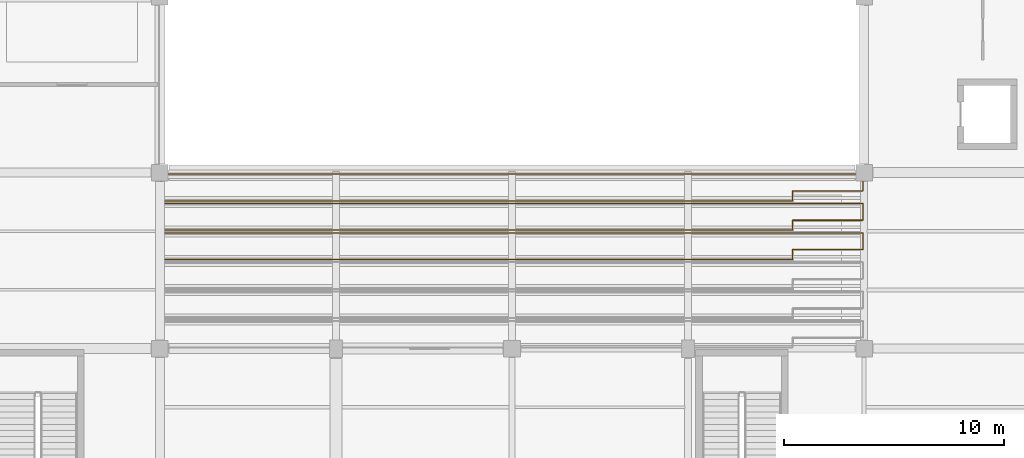
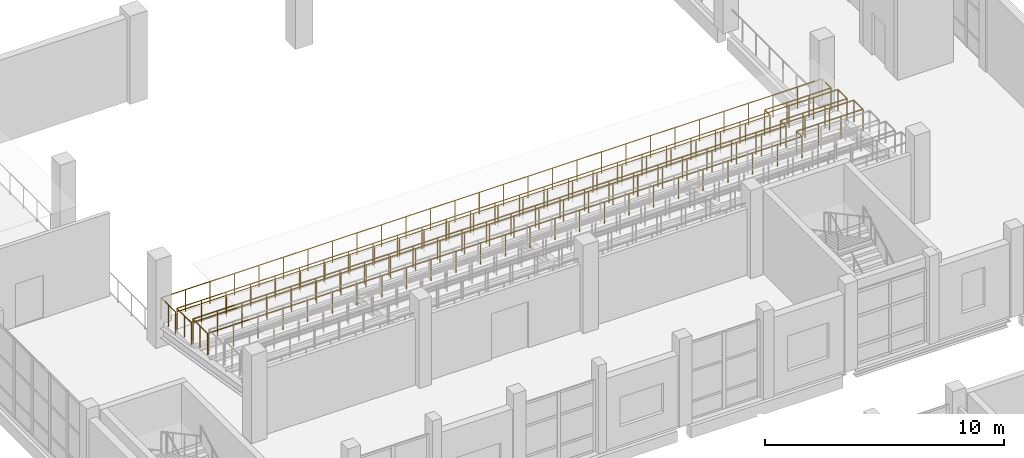
# One storey, part 169 of 183: 3 railings.
"""IFC4 building model written with IfcOpenShell, lengths in metres."""

import ifcopenshell
import ifcopenshell.guid

model = None  # the IFC model being written
_history = None  # IfcOwnerHistory: only IFC2X3 demands one
_inside = {}  # id of a spatial element -> (the spatial element, [elements in it])
_under = {}  # id of a project, library or spatial element -> (it, [spatial elements below it])
_declared = {}  # id of a project -> (the project, [libraries it declares])
_typed = {}  # id of a type object -> (the type object, [elements of that type])
_made_of = {}  # id of a material, layer set ... -> (it, [elements and type objects made of it])


def new_model(schema):
    """Start an empty IFC model of exactly this schema.

    Asked for "IFC4X3", IfcOpenShell would pick the latest addendum, in which some entities
    have other attributes; the version numbers below select the first issue.
    IFC2X3 requires an IfcOwnerHistory on every rooted entity: one is made here for all.
    """
    global model, _history
    if schema == "IFC4X3":
        model = ifcopenshell.file(schema_version=(4, 3, 0, 0))
    else:
        model = ifcopenshell.file(schema=schema)
    _inside.clear()
    _under.clear()
    _declared.clear()
    _typed.clear()
    _made_of.clear()
    _history = None
    if model.schema == "IFC2X3":
        org = make("IfcOrganization", Name="unknown")
        user = make(
            "IfcPersonAndOrganization",
            ThePerson=make("IfcPerson", FamilyName="unknown"),
            TheOrganization=org,
        )
        app = make(
            "IfcApplication",
            ApplicationDeveloper=org,
            Version="unknown",
            ApplicationFullName="unknown",
            ApplicationIdentifier="unknown",
        )
        _history = make(
            "IfcOwnerHistory",
            OwningUser=user,
            OwningApplication=app,
            ChangeAction="ADDED",
            CreationDate=0,
        )
    return model


def make(cls, **values):
    """One entity of the class cls with the attributes given. An attribute that is None is left unset."""
    return model.create_entity(
        cls, **{name: value for name, value in values.items() if value is not None}
    )


def rooted(cls, **values):
    """An entity with a GlobalId (a new one), such as an element, a storey or a relation."""
    return make(cls, GlobalId=ifcopenshell.guid.new(), OwnerHistory=_history, **values)


def si_unit(unit_type, name, prefix=None):
    """IfcSIUnit, for example si_unit("LENGTHUNIT", "METRE", prefix="MILLI")."""
    return make("IfcSIUnit", UnitType=unit_type, Prefix=prefix, Name=name)


def assignment(units):
    """IfcUnitAssignment: the units of a project."""
    return None if units is None else make("IfcUnitAssignment", Units=units)


def point(xyz):
    """IfcCartesianPoint."""
    return None if xyz is None else make("IfcCartesianPoint", Coordinates=xyz)


def direction(xyz):
    """IfcDirection."""
    return None if xyz is None else make("IfcDirection", DirectionRatios=xyz)


def frame(location, z_axis=None, x_axis=None):
    """IfcAxis2Placement3D, a coordinate frame: its origin and axes. An axis left out is left unset."""
    return make(
        "IfcAxis2Placement3D",
        Location=point(location),
        Axis=direction(z_axis),
        RefDirection=direction(x_axis),
    )


def frame_2d(location, x_axis=None):
    """IfcAxis2Placement2D, a coordinate frame in the plane: its origin and x axis."""
    return make(
        "IfcAxis2Placement2D", Location=point(location), RefDirection=direction(x_axis)
    )


def origin():
    """The frame at (0, 0, 0) with its axes left unset."""
    return frame((0.0, 0.0, 0.0))


def origin_2d():
    """The frame at (0, 0) in the plane with its x axis left unset."""
    return frame_2d((0.0, 0.0))


def place(relative_to, where):
    """IfcLocalPlacement: puts the frame where relative to a parent placement (None: the world)."""
    return make(
        "IfcLocalPlacement", PlacementRelTo=relative_to, RelativePlacement=where
    )


def context(
    kind, dimensions, precision=None, world=None, true_north=None, identifier=None
):
    """IfcGeometricRepresentationContext, for example the 3D "Model" context."""
    return make(
        "IfcGeometricRepresentationContext",
        ContextIdentifier=identifier,
        ContextType=kind,
        CoordinateSpaceDimension=dimensions,
        Precision=precision,
        WorldCoordinateSystem=world,
        TrueNorth=true_north,
    )


def subcontext(parent, identifier, kind, view, scale=None):
    """IfcGeometricRepresentationSubContext, for example "Body" below "Model"."""
    return make(
        "IfcGeometricRepresentationSubContext",
        ContextIdentifier=identifier,
        ContextType=kind,
        ParentContext=parent,
        TargetScale=scale,
        TargetView=view,
    )


def project(units=None, contexts=None):
    """IfcProject with its units and contexts."""
    return rooted(
        "IfcProject",
        Name="project",
        RepresentationContexts=contexts,
        UnitsInContext=assignment(units),
    )


def spatial(cls, under=None, at=None, **own):
    """A site, building, storey or space (cls), placed at a placement, below another one or the project."""
    s = rooted(cls, ObjectPlacement=at, **own)
    if under is not None:
        _under.setdefault(under.id(), (under, []))[1].append(s)
    return s


def profile(cls, at=None, kind="AREA", **sizes):
    """A parametric profile (cls). Its sizes go by their IFC names, for example OverallWidth=200.0."""
    return make(cls, ProfileType=kind, Position=at, **sizes)


def circle(**sizes):
    """IfcCircleProfileDef."""
    return profile("IfcCircleProfileDef", **sizes)


def extrude(swept, where, along, depth):
    """IfcExtrudedAreaSolid: the profile swept, set in the frame where, extruded along a direction by depth."""
    return make(
        "IfcExtrudedAreaSolid",
        SweptArea=swept,
        Position=where,
        ExtrudedDirection=direction(along),
        Depth=depth,
    )


def shape(context_of_items, identifier, shape_type, items):
    """IfcShapeRepresentation: the items that make up one representation, for example the "Body"."""
    return make(
        "IfcShapeRepresentation",
        ContextOfItems=context_of_items,
        RepresentationIdentifier=identifier,
        RepresentationType=shape_type,
        Items=items,
    )


def material(Name=None, Category=None):
    """IfcMaterial."""
    return make("IfcMaterial", Name=Name, Category=Category)


def made_of(thing, what):
    """Note that an element or type object is made of a material, layer set ...; save() writes the relation."""
    if what is not None:
        _made_of.setdefault(what.id(), (what, []))[1].append(thing)
    return thing


def type_object(cls, material=None, **own):
    """A type object (cls), such as IfcWallType, which elements share."""
    return made_of(rooted(cls, **own), material)


def element(
    cls,
    number,
    at=None,
    inside=None,
    cuts=None,
    type_object=None,
    material=None,
    context=None,
    identifier="Body",
    shape_type=None,
    held_by="IfcProductDefinitionShape",
    body=None,
    shapes=None,
    **own,
):
    """One element of the class cls, such as IfcWall. Its Tag is "e" and its number.

    at: its placement. inside: the storey or other place that contains it. cuts: it is an
    opening in that element (IfcRelVoidsElement). A single representation is given by context,
    identifier, shape_type and body (its items); several are given by shapes. held_by: the class
    of the entity that holds the representations. save() writes the other relations.
    """
    e = rooted(cls, Tag="e%d" % number, ObjectPlacement=at, **own)
    if body is not None:
        shapes = [shape(context, identifier, shape_type, body)]
    if shapes is not None:
        e.Representation = make(held_by, Representations=shapes)
    if inside is not None:
        _inside.setdefault(inside.id(), (inside, []))[1].append(e)
    if cuts is not None:
        rooted(
            "IfcRelVoidsElement", RelatingBuildingElement=cuts, RelatedOpeningElement=e
        )
    if type_object is not None:
        _typed.setdefault(type_object.id(), (type_object, []))[1].append(e)
    return made_of(e, material)


def aggregate(whole, parts):
    """IfcRelAggregates: a whole, such as a stair, and the parts it consists of."""
    return rooted("IfcRelAggregates", RelatingObject=whole, RelatedObjects=parts)


def save(model, path):
    """Write the relations noted so far, then the file.

    IfcRelAggregates (storeys below a building ...), IfcRelContainedInSpatialStructure (elements
    in a storey), IfcRelDefinesByType, IfcRelAssociatesMaterial and IfcRelDeclares: one each for
    every whole, place, type object, material and project.
    """
    for whole, parts in _under.values():
        aggregate(whole, parts)
    for where, things in _inside.values():
        rooted(
            "IfcRelContainedInSpatialStructure",
            RelatedElements=things,
            RelatingStructure=where,
        )
    for kind, things in _typed.values():
        rooted("IfcRelDefinesByType", RelatedObjects=things, RelatingType=kind)
    for what, things in _made_of.values():
        rooted("IfcRelAssociatesMaterial", RelatedObjects=things, RelatingMaterial=what)
    for by, libraries in _declared.values():
        rooted("IfcRelDeclares", RelatingContext=by, RelatedDefinitions=libraries)
    model.write(path)


model = new_model("IFC4")

# Units and contexts
model_context = context("Model", 3, precision=1e-05, world=origin(), true_north=direction((0.0, 1.0)))
body_context = subcontext(model_context, "Body", "Model", "MODEL_VIEW")
ifc_project = project(units=[si_unit("LENGTHUNIT", "METRE"), si_unit("AREAUNIT", "SQUARE_METRE"), si_unit("VOLUMEUNIT", "CUBIC_METRE"), si_unit("PLANEANGLEUNIT", "RADIAN"), si_unit("MASSUNIT", "GRAM", prefix="KILO")], contexts=[model_context])

# Site, building, storey
site_placement = place(None, origin())
site = spatial("IfcSite", under=ifc_project, at=site_placement, CompositionType="ELEMENT")
building_placement = place(site_placement, origin())
building = spatial("IfcBuilding", under=site, at=building_placement, Name="Luwemba Playhouse", CompositionType="ELEMENT")
storey_placement = place(building_placement, frame((0.0, 0.0, 4.800048828125)))
storey = spatial("IfcBuildingStorey", under=building, at=storey_placement, Name="L01", CompositionType="ELEMENT", Elevation=4.800048828125)

# Railings
ifc_material = material(Name="Painted wrought-iron gallery balustrade", Category="steel")
railing_type = type_object("IfcRailingType", Name="RLG-BAL-INT", PredefinedType="BALUSTRADE", material=ifc_material)
railing_1_placement = place(storey_placement, frame((12.050048828125, 48.050048828125, 1.699951171875)))
element("IfcRailing", 1, at=railing_1_placement, inside=storey, type_object=railing_type, Name="Stand Dress Circle Bay 4 perimeter balustrade", PredefinedType="BALUSTRADE", context=body_context, shape_type="SweptSolid", body=[
    extrude(circle(Radius=0.02392578125, at=origin_2d()), frame((0.0, 0.0, 1.09619140625), z_axis=(0.0, 1.0, 0.0), x_axis=(-1.0, 0.0, 0.0)), (0.0, 0.0, 1.0), 1.213134765625),
    extrude(circle(Radius=0.02392578125, at=origin_2d()), frame((0.0, 1.213134765625, 1.09619140625), z_axis=(1.0, 0.0, 0.0), x_axis=(0.0, 1.0, 0.0)), (0.0, 0.0, 1.0), 31.89990234375),
    extrude(circle(Radius=0.02392578125, at=origin_2d()), frame((31.89990234375, 1.213134765625, 1.09619140625), z_axis=(0.0, -1.0, 0.0), x_axis=(1.0, 0.0, 0.0)), (0.0, 0.0, 1.0), 0.76318359375),
    extrude(circle(Radius=0.02392578125, at=origin_2d()), frame((31.89990234375, 0.449951171875, 1.09619140625), z_axis=(-1.0, 0.0, 0.0), x_axis=(0.0, -1.0, 0.0)), (0.0, 0.0, 1.0), 3.199951171875),
    extrude(circle(Radius=0.02392578125, at=origin_2d()), frame((28.699951171875, 0.449951171875, 1.09619140625), z_axis=(0.0, -1.0, 0.0), x_axis=(1.0, 0.0, 0.0)), (0.0, 0.0, 1.0), 0.449951171875),
    extrude(circle(Radius=0.02392578125, at=origin_2d()), frame((28.699951171875, 0.0, 1.09619140625), z_axis=(-1.0, 0.0, 0.0), x_axis=(0.0, -1.0, 0.0)), (0.0, 0.0, 1.0), 28.639892578125),
    extrude(circle(Radius=0.02099609375, at=origin_2d()), origin(), (0.0, 0.0, 1.0), 1.072021484375),
    extrude(circle(Radius=0.02099609375, at=origin_2d()), frame((0.0, 0.6064453125, 0.0)), (0.0, 0.0, 1.0), 1.072021484375),
    extrude(circle(Radius=0.02099609375, at=origin_2d()), frame((0.0, 1.213134765625, 0.0)), (0.0, 0.0, 1.0), 1.072021484375),
    extrude(circle(Radius=0.02099609375, at=origin_2d()), frame((1.181396484375, 1.213134765625, 0.0)), (0.0, 0.0, 1.0), 1.072021484375),
    extrude(circle(Radius=0.02099609375, at=origin_2d()), frame((2.363037109375, 1.213134765625, 0.0)), (0.0, 0.0, 1.0), 1.072021484375),
    extrude(circle(Radius=0.02099609375, at=origin_2d()), frame((3.54443359375, 1.213134765625, 0.0)), (0.0, 0.0, 1.0), 1.072021484375),
    extrude(circle(Radius=0.02099609375, at=origin_2d()), frame((4.725830078125, 1.213134765625, 0.0)), (0.0, 0.0, 1.0), 1.072021484375),
    extrude(circle(Radius=0.02099609375, at=origin_2d()), frame((5.907470703125, 1.213134765625, 0.0)), (0.0, 0.0, 1.0), 1.072021484375),
    extrude(circle(Radius=0.02099609375, at=origin_2d()), frame((7.0888671875, 1.213134765625, 0.0)), (0.0, 0.0, 1.0), 1.072021484375),
    extrude(circle(Radius=0.02099609375, at=origin_2d()), frame((8.270263671875, 1.213134765625, 0.0)), (0.0, 0.0, 1.0), 1.072021484375),
    extrude(circle(Radius=0.02099609375, at=origin_2d()), frame((9.451904296875, 1.213134765625, 0.0)), (0.0, 0.0, 1.0), 1.072021484375),
    extrude(circle(Radius=0.02099609375, at=origin_2d()), frame((10.63330078125, 1.213134765625, 0.0)), (0.0, 0.0, 1.0), 1.072021484375),
    extrude(circle(Radius=0.02099609375, at=origin_2d()), frame((11.814697265625, 1.213134765625, 0.0)), (0.0, 0.0, 1.0), 1.072021484375),
    extrude(circle(Radius=0.02099609375, at=origin_2d()), frame((12.996337890625, 1.213134765625, 0.0)), (0.0, 0.0, 1.0), 1.072021484375),
    extrude(circle(Radius=0.02099609375, at=origin_2d()), frame((14.177734375, 1.213134765625, 0.0)), (0.0, 0.0, 1.0), 1.072021484375),
    extrude(circle(Radius=0.02099609375, at=origin_2d()), frame((15.359130859375, 1.213134765625, 0.0)), (0.0, 0.0, 1.0), 1.072021484375),
    extrude(circle(Radius=0.02099609375, at=origin_2d()), frame((16.540771484375, 1.213134765625, 0.0)), (0.0, 0.0, 1.0), 1.072021484375),
    extrude(circle(Radius=0.02099609375, at=origin_2d()), frame((17.72216796875, 1.213134765625, 0.0)), (0.0, 0.0, 1.0), 1.072021484375),
    extrude(circle(Radius=0.02099609375, at=origin_2d()), frame((18.903564453125, 1.213134765625, 0.0)), (0.0, 0.0, 1.0), 1.072021484375),
    extrude(circle(Radius=0.02099609375, at=origin_2d()), frame((20.085205078125, 1.213134765625, 0.0)), (0.0, 0.0, 1.0), 1.072021484375),
    extrude(circle(Radius=0.02099609375, at=origin_2d()), frame((21.2666015625, 1.213134765625, 0.0)), (0.0, 0.0, 1.0), 1.072021484375),
    extrude(circle(Radius=0.02099609375, at=origin_2d()), frame((22.447998046875, 1.213134765625, 0.0)), (0.0, 0.0, 1.0), 1.072021484375),
    extrude(circle(Radius=0.02099609375, at=origin_2d()), frame((23.629638671875, 1.213134765625, 0.0)), (0.0, 0.0, 1.0), 1.072021484375),
    extrude(circle(Radius=0.02099609375, at=origin_2d()), frame((24.81103515625, 1.213134765625, 0.0)), (0.0, 0.0, 1.0), 1.072021484375),
    extrude(circle(Radius=0.02099609375, at=origin_2d()), frame((25.992431640625, 1.213134765625, 0.0)), (0.0, 0.0, 1.0), 1.072021484375),
    extrude(circle(Radius=0.02099609375, at=origin_2d()), frame((27.174072265625, 1.213134765625, 0.0)), (0.0, 0.0, 1.0), 1.072021484375),
    extrude(circle(Radius=0.02099609375, at=origin_2d()), frame((28.35546875, 1.213134765625, 0.0)), (0.0, 0.0, 1.0), 1.072021484375),
    extrude(circle(Radius=0.02099609375, at=origin_2d()), frame((29.536865234375, 1.213134765625, 0.0)), (0.0, 0.0, 1.0), 1.072021484375),
    extrude(circle(Radius=0.02099609375, at=origin_2d()), frame((30.718505859375, 1.213134765625, 0.0)), (0.0, 0.0, 1.0), 1.072021484375),
    extrude(circle(Radius=0.02099609375, at=origin_2d()), frame((31.89990234375, 1.213134765625, 0.0)), (0.0, 0.0, 1.0), 1.072021484375),
    extrude(circle(Radius=0.02099609375, at=origin_2d()), frame((31.89990234375, 0.449951171875, 0.0)), (0.0, 0.0, 1.0), 1.072021484375),
    extrude(circle(Radius=0.02099609375, at=origin_2d()), frame((30.833251953125, 0.449951171875, 0.0)), (0.0, 0.0, 1.0), 1.072021484375),
    extrude(circle(Radius=0.02099609375, at=origin_2d()), frame((29.7666015625, 0.449951171875, 0.0)), (0.0, 0.0, 1.0), 1.072021484375),
    extrude(circle(Radius=0.02099609375, at=origin_2d()), frame((28.699951171875, 0.449951171875, 0.0)), (0.0, 0.0, 1.0), 1.072021484375),
    extrude(circle(Radius=0.02099609375, at=origin_2d()), frame((28.699951171875, 0.0, 0.0)), (0.0, 0.0, 1.0), 1.072021484375),
    extrude(circle(Radius=0.02099609375, at=origin_2d()), frame((27.506591796875, 0.0, 0.0)), (0.0, 0.0, 1.0), 1.072021484375),
    extrude(circle(Radius=0.02099609375, at=origin_2d()), frame((26.313232421875, 0.0, 0.0)), (0.0, 0.0, 1.0), 1.072021484375),
    extrude(circle(Radius=0.02099609375, at=origin_2d()), frame((25.119873046875, 0.0, 0.0)), (0.0, 0.0, 1.0), 1.072021484375),
    extrude(circle(Radius=0.02099609375, at=origin_2d()), frame((23.9267578125, 0.0, 0.0)), (0.0, 0.0, 1.0), 1.072021484375),
    extrude(circle(Radius=0.02099609375, at=origin_2d()), frame((22.7333984375, 0.0, 0.0)), (0.0, 0.0, 1.0), 1.072021484375),
    extrude(circle(Radius=0.02099609375, at=origin_2d()), frame((21.5400390625, 0.0, 0.0)), (0.0, 0.0, 1.0), 1.072021484375),
    extrude(circle(Radius=0.02099609375, at=origin_2d()), frame((20.3466796875, 0.0, 0.0)), (0.0, 0.0, 1.0), 1.072021484375),
    extrude(circle(Radius=0.02099609375, at=origin_2d()), frame((19.1533203125, 0.0, 0.0)), (0.0, 0.0, 1.0), 1.072021484375),
    extrude(circle(Radius=0.02099609375, at=origin_2d()), frame((17.9599609375, 0.0, 0.0)), (0.0, 0.0, 1.0), 1.072021484375),
    extrude(circle(Radius=0.02099609375, at=origin_2d()), frame((16.7666015625, 0.0, 0.0)), (0.0, 0.0, 1.0), 1.072021484375),
    extrude(circle(Radius=0.02099609375, at=origin_2d()), frame((15.5732421875, 0.0, 0.0)), (0.0, 0.0, 1.0), 1.072021484375),
    extrude(circle(Radius=0.02099609375, at=origin_2d()), frame((14.3798828125, 0.0, 0.0)), (0.0, 0.0, 1.0), 1.072021484375),
    extrude(circle(Radius=0.02099609375, at=origin_2d()), frame((13.186767578125, 0.0, 0.0)), (0.0, 0.0, 1.0), 1.072021484375),
    extrude(circle(Radius=0.02099609375, at=origin_2d()), frame((11.993408203125, 0.0, 0.0)), (0.0, 0.0, 1.0), 1.072021484375),
    extrude(circle(Radius=0.02099609375, at=origin_2d()), frame((10.800048828125, 0.0, 0.0)), (0.0, 0.0, 1.0), 1.072021484375),
    extrude(circle(Radius=0.02099609375, at=origin_2d()), frame((9.606689453125, 0.0, 0.0)), (0.0, 0.0, 1.0), 1.072021484375),
    extrude(circle(Radius=0.02099609375, at=origin_2d()), frame((8.413330078125, 0.0, 0.0)), (0.0, 0.0, 1.0), 1.072021484375),
    extrude(circle(Radius=0.02099609375, at=origin_2d()), frame((7.219970703125, 0.0, 0.0)), (0.0, 0.0, 1.0), 1.072021484375),
    extrude(circle(Radius=0.02099609375, at=origin_2d()), frame((6.026611328125, 0.0, 0.0)), (0.0, 0.0, 1.0), 1.072021484375),
    extrude(circle(Radius=0.02099609375, at=origin_2d()), frame((4.83349609375, 0.0, 0.0)), (0.0, 0.0, 1.0), 1.072021484375),
    extrude(circle(Radius=0.02099609375, at=origin_2d()), frame((3.64013671875, 0.0, 0.0)), (0.0, 0.0, 1.0), 1.072021484375),
    extrude(circle(Radius=0.02099609375, at=origin_2d()), frame((2.44677734375, 0.0, 0.0)), (0.0, 0.0, 1.0), 1.072021484375),
    extrude(circle(Radius=0.02099609375, at=origin_2d()), frame((1.25341796875, 0.0, 0.0)), (0.0, 0.0, 1.0), 1.072021484375),
    extrude(circle(Radius=0.02099609375, at=origin_2d()), frame((0.06005859375, 0.0, 0.0)), (0.0, 0.0, 1.0), 1.072021484375),
])
railing_2_placement = place(storey_placement, frame((12.050048828125, 49.38330078125, 1.433349609375)))
element("IfcRailing", 2, at=railing_2_placement, inside=storey, type_object=railing_type, Name="Stand Dress Circle Bay 5 perimeter balustrade", PredefinedType="BALUSTRADE", context=body_context, shape_type="SweptSolid", body=[
    extrude(circle(Radius=0.02392578125, at=origin_2d()), frame((0.0, 0.0, 1.09619140625), z_axis=(0.0, 1.0, 0.0), x_axis=(-1.0, 0.0, 0.0)), (0.0, 0.0, 1.0), 1.21337890625),
    extrude(circle(Radius=0.02392578125, at=origin_2d()), frame((0.0, 1.21337890625, 1.09619140625), z_axis=(1.0, 0.0, 0.0), x_axis=(0.0, 1.0, 0.0)), (0.0, 0.0, 1.0), 31.89990234375),
    extrude(circle(Radius=0.02392578125, at=origin_2d()), frame((31.89990234375, 1.21337890625, 1.09619140625), z_axis=(0.0, -1.0, 0.0), x_axis=(1.0, 0.0, 0.0)), (0.0, 0.0, 1.0), 0.763427734375),
    extrude(circle(Radius=0.02392578125, at=origin_2d()), frame((31.89990234375, 0.449951171875, 1.09619140625), z_axis=(-1.0, 0.0, 0.0), x_axis=(0.0, -1.0, 0.0)), (0.0, 0.0, 1.0), 3.199951171875),
    extrude(circle(Radius=0.02392578125, at=origin_2d()), frame((28.699951171875, 0.449951171875, 1.09619140625), z_axis=(0.0, -1.0, 0.0), x_axis=(1.0, 0.0, 0.0)), (0.0, 0.0, 1.0), 0.449951171875),
    extrude(circle(Radius=0.02392578125, at=origin_2d()), frame((28.699951171875, 0.0, 1.09619140625), z_axis=(-1.0, 0.0, 0.0), x_axis=(0.0, -1.0, 0.0)), (0.0, 0.0, 1.0), 28.639892578125),
    extrude(circle(Radius=0.02099609375, at=origin_2d()), origin(), (0.0, 0.0, 1.0), 1.072021484375),
    extrude(circle(Radius=0.02099609375, at=origin_2d()), frame((0.0, 0.606689453125, 0.0)), (0.0, 0.0, 1.0), 1.072021484375),
    extrude(circle(Radius=0.02099609375, at=origin_2d()), frame((0.0, 1.21337890625, 0.0)), (0.0, 0.0, 1.0), 1.072021484375),
    extrude(circle(Radius=0.02099609375, at=origin_2d()), frame((1.181396484375, 1.21337890625, 0.0)), (0.0, 0.0, 1.0), 1.072021484375),
    extrude(circle(Radius=0.02099609375, at=origin_2d()), frame((2.363037109375, 1.21337890625, 0.0)), (0.0, 0.0, 1.0), 1.072021484375),
    extrude(circle(Radius=0.02099609375, at=origin_2d()), frame((3.54443359375, 1.21337890625, 0.0)), (0.0, 0.0, 1.0), 1.072021484375),
    extrude(circle(Radius=0.02099609375, at=origin_2d()), frame((4.725830078125, 1.21337890625, 0.0)), (0.0, 0.0, 1.0), 1.072021484375),
    extrude(circle(Radius=0.02099609375, at=origin_2d()), frame((5.907470703125, 1.21337890625, 0.0)), (0.0, 0.0, 1.0), 1.072021484375),
    extrude(circle(Radius=0.02099609375, at=origin_2d()), frame((7.0888671875, 1.21337890625, 0.0)), (0.0, 0.0, 1.0), 1.072021484375),
    extrude(circle(Radius=0.02099609375, at=origin_2d()), frame((8.270263671875, 1.21337890625, 0.0)), (0.0, 0.0, 1.0), 1.072021484375),
    extrude(circle(Radius=0.02099609375, at=origin_2d()), frame((9.451904296875, 1.21337890625, 0.0)), (0.0, 0.0, 1.0), 1.072021484375),
    extrude(circle(Radius=0.02099609375, at=origin_2d()), frame((10.63330078125, 1.21337890625, 0.0)), (0.0, 0.0, 1.0), 1.072021484375),
    extrude(circle(Radius=0.02099609375, at=origin_2d()), frame((11.814697265625, 1.21337890625, 0.0)), (0.0, 0.0, 1.0), 1.072021484375),
    extrude(circle(Radius=0.02099609375, at=origin_2d()), frame((12.996337890625, 1.21337890625, 0.0)), (0.0, 0.0, 1.0), 1.072021484375),
    extrude(circle(Radius=0.02099609375, at=origin_2d()), frame((14.177734375, 1.21337890625, 0.0)), (0.0, 0.0, 1.0), 1.072021484375),
    extrude(circle(Radius=0.02099609375, at=origin_2d()), frame((15.359130859375, 1.21337890625, 0.0)), (0.0, 0.0, 1.0), 1.072021484375),
    extrude(circle(Radius=0.02099609375, at=origin_2d()), frame((16.540771484375, 1.21337890625, 0.0)), (0.0, 0.0, 1.0), 1.072021484375),
    extrude(circle(Radius=0.02099609375, at=origin_2d()), frame((17.72216796875, 1.21337890625, 0.0)), (0.0, 0.0, 1.0), 1.072021484375),
    extrude(circle(Radius=0.02099609375, at=origin_2d()), frame((18.903564453125, 1.21337890625, 0.0)), (0.0, 0.0, 1.0), 1.072021484375),
    extrude(circle(Radius=0.02099609375, at=origin_2d()), frame((20.085205078125, 1.21337890625, 0.0)), (0.0, 0.0, 1.0), 1.072021484375),
    extrude(circle(Radius=0.02099609375, at=origin_2d()), frame((21.2666015625, 1.21337890625, 0.0)), (0.0, 0.0, 1.0), 1.072021484375),
    extrude(circle(Radius=0.02099609375, at=origin_2d()), frame((22.447998046875, 1.21337890625, 0.0)), (0.0, 0.0, 1.0), 1.072021484375),
    extrude(circle(Radius=0.02099609375, at=origin_2d()), frame((23.629638671875, 1.21337890625, 0.0)), (0.0, 0.0, 1.0), 1.072021484375),
    extrude(circle(Radius=0.02099609375, at=origin_2d()), frame((24.81103515625, 1.21337890625, 0.0)), (0.0, 0.0, 1.0), 1.072021484375),
    extrude(circle(Radius=0.02099609375, at=origin_2d()), frame((25.992431640625, 1.21337890625, 0.0)), (0.0, 0.0, 1.0), 1.072021484375),
    extrude(circle(Radius=0.02099609375, at=origin_2d()), frame((27.174072265625, 1.21337890625, 0.0)), (0.0, 0.0, 1.0), 1.072021484375),
    extrude(circle(Radius=0.02099609375, at=origin_2d()), frame((28.35546875, 1.21337890625, 0.0)), (0.0, 0.0, 1.0), 1.072021484375),
    extrude(circle(Radius=0.02099609375, at=origin_2d()), frame((29.536865234375, 1.21337890625, 0.0)), (0.0, 0.0, 1.0), 1.072021484375),
    extrude(circle(Radius=0.02099609375, at=origin_2d()), frame((30.718505859375, 1.21337890625, 0.0)), (0.0, 0.0, 1.0), 1.072021484375),
    extrude(circle(Radius=0.02099609375, at=origin_2d()), frame((31.89990234375, 1.21337890625, 0.0)), (0.0, 0.0, 1.0), 1.072021484375),
    extrude(circle(Radius=0.02099609375, at=origin_2d()), frame((31.89990234375, 0.449951171875, 0.0)), (0.0, 0.0, 1.0), 1.072021484375),
    extrude(circle(Radius=0.02099609375, at=origin_2d()), frame((30.833251953125, 0.449951171875, 0.0)), (0.0, 0.0, 1.0), 1.072021484375),
    extrude(circle(Radius=0.02099609375, at=origin_2d()), frame((29.7666015625, 0.449951171875, 0.0)), (0.0, 0.0, 1.0), 1.072021484375),
    extrude(circle(Radius=0.02099609375, at=origin_2d()), frame((28.699951171875, 0.449951171875, 0.0)), (0.0, 0.0, 1.0), 1.072021484375),
    extrude(circle(Radius=0.02099609375, at=origin_2d()), frame((28.699951171875, 0.0, 0.0)), (0.0, 0.0, 1.0), 1.072021484375),
    extrude(circle(Radius=0.02099609375, at=origin_2d()), frame((27.506591796875, 0.0, 0.0)), (0.0, 0.0, 1.0), 1.072021484375),
    extrude(circle(Radius=0.02099609375, at=origin_2d()), frame((26.313232421875, 0.0, 0.0)), (0.0, 0.0, 1.0), 1.072021484375),
    extrude(circle(Radius=0.02099609375, at=origin_2d()), frame((25.119873046875, 0.0, 0.0)), (0.0, 0.0, 1.0), 1.072021484375),
    extrude(circle(Radius=0.02099609375, at=origin_2d()), frame((23.9267578125, 0.0, 0.0)), (0.0, 0.0, 1.0), 1.072021484375),
    extrude(circle(Radius=0.02099609375, at=origin_2d()), frame((22.7333984375, 0.0, 0.0)), (0.0, 0.0, 1.0), 1.072021484375),
    extrude(circle(Radius=0.02099609375, at=origin_2d()), frame((21.5400390625, 0.0, 0.0)), (0.0, 0.0, 1.0), 1.072021484375),
    extrude(circle(Radius=0.02099609375, at=origin_2d()), frame((20.3466796875, 0.0, 0.0)), (0.0, 0.0, 1.0), 1.072021484375),
    extrude(circle(Radius=0.02099609375, at=origin_2d()), frame((19.1533203125, 0.0, 0.0)), (0.0, 0.0, 1.0), 1.072021484375),
    extrude(circle(Radius=0.02099609375, at=origin_2d()), frame((17.9599609375, 0.0, 0.0)), (0.0, 0.0, 1.0), 1.072021484375),
    extrude(circle(Radius=0.02099609375, at=origin_2d()), frame((16.7666015625, 0.0, 0.0)), (0.0, 0.0, 1.0), 1.072021484375),
    extrude(circle(Radius=0.02099609375, at=origin_2d()), frame((15.5732421875, 0.0, 0.0)), (0.0, 0.0, 1.0), 1.072021484375),
    extrude(circle(Radius=0.02099609375, at=origin_2d()), frame((14.3798828125, 0.0, 0.0)), (0.0, 0.0, 1.0), 1.072021484375),
    extrude(circle(Radius=0.02099609375, at=origin_2d()), frame((13.186767578125, 0.0, 0.0)), (0.0, 0.0, 1.0), 1.072021484375),
    extrude(circle(Radius=0.02099609375, at=origin_2d()), frame((11.993408203125, 0.0, 0.0)), (0.0, 0.0, 1.0), 1.072021484375),
    extrude(circle(Radius=0.02099609375, at=origin_2d()), frame((10.800048828125, 0.0, 0.0)), (0.0, 0.0, 1.0), 1.072021484375),
    extrude(circle(Radius=0.02099609375, at=origin_2d()), frame((9.606689453125, 0.0, 0.0)), (0.0, 0.0, 1.0), 1.072021484375),
    extrude(circle(Radius=0.02099609375, at=origin_2d()), frame((8.413330078125, 0.0, 0.0)), (0.0, 0.0, 1.0), 1.072021484375),
    extrude(circle(Radius=0.02099609375, at=origin_2d()), frame((7.219970703125, 0.0, 0.0)), (0.0, 0.0, 1.0), 1.072021484375),
    extrude(circle(Radius=0.02099609375, at=origin_2d()), frame((6.026611328125, 0.0, 0.0)), (0.0, 0.0, 1.0), 1.072021484375),
    extrude(circle(Radius=0.02099609375, at=origin_2d()), frame((4.83349609375, 0.0, 0.0)), (0.0, 0.0, 1.0), 1.072021484375),
    extrude(circle(Radius=0.02099609375, at=origin_2d()), frame((3.64013671875, 0.0, 0.0)), (0.0, 0.0, 1.0), 1.072021484375),
    extrude(circle(Radius=0.02099609375, at=origin_2d()), frame((2.44677734375, 0.0, 0.0)), (0.0, 0.0, 1.0), 1.072021484375),
    extrude(circle(Radius=0.02099609375, at=origin_2d()), frame((1.25341796875, 0.0, 0.0)), (0.0, 0.0, 1.0), 1.072021484375),
    extrude(circle(Radius=0.02099609375, at=origin_2d()), frame((0.06005859375, 0.0, 0.0)), (0.0, 0.0, 1.0), 1.072021484375),
])
railing_3_placement = place(storey_placement, frame((12.050048828125, 50.716796875, 1.166748046875)))
element("IfcRailing", 3, at=railing_3_placement, inside=storey, type_object=railing_type, Name="Stand Dress Circle Bay 6 perimeter balustrade", PredefinedType="BALUSTRADE", context=body_context, shape_type="SweptSolid", body=[
    extrude(circle(Radius=0.02392578125, at=origin_2d()), frame((0.0, 0.0, 1.09619140625), z_axis=(0.0, 1.0, 0.0), x_axis=(-1.0, 0.0, 0.0)), (0.0, 0.0, 1.0), 1.213134765625),
    extrude(circle(Radius=0.02392578125, at=origin_2d()), frame((0.0, 1.213134765625, 1.09619140625), z_axis=(1.0, 0.0, 0.0), x_axis=(0.0, 1.0, 0.0)), (0.0, 0.0, 1.0), 31.89990234375),
    extrude(circle(Radius=0.02392578125, at=origin_2d()), frame((31.89990234375, 1.213134765625, 1.09619140625), z_axis=(0.0, -1.0, 0.0), x_axis=(1.0, 0.0, 0.0)), (0.0, 0.0, 1.0), 0.76318359375),
    extrude(circle(Radius=0.02392578125, at=origin_2d()), frame((31.89990234375, 0.449951171875, 1.09619140625), z_axis=(-1.0, 0.0, 0.0), x_axis=(0.0, -1.0, 0.0)), (0.0, 0.0, 1.0), 3.199951171875),
    extrude(circle(Radius=0.02392578125, at=origin_2d()), frame((28.699951171875, 0.449951171875, 1.09619140625), z_axis=(0.0, -1.0, 0.0), x_axis=(1.0, 0.0, 0.0)), (0.0, 0.0, 1.0), 0.449951171875),
    extrude(circle(Radius=0.02392578125, at=origin_2d()), frame((28.699951171875, 0.0, 1.09619140625), z_axis=(-1.0, 0.0, 0.0), x_axis=(0.0, -1.0, 0.0)), (0.0, 0.0, 1.0), 28.639892578125),
    extrude(circle(Radius=0.02099609375, at=origin_2d()), origin(), (0.0, 0.0, 1.0), 1.072021484375),
    extrude(circle(Radius=0.02099609375, at=origin_2d()), frame((0.0, 0.6064453125, 0.0)), (0.0, 0.0, 1.0), 1.072021484375),
    extrude(circle(Radius=0.02099609375, at=origin_2d()), frame((0.0, 1.213134765625, 0.0)), (0.0, 0.0, 1.0), 1.072021484375),
    extrude(circle(Radius=0.02099609375, at=origin_2d()), frame((1.181396484375, 1.213134765625, 0.0)), (0.0, 0.0, 1.0), 1.072021484375),
    extrude(circle(Radius=0.02099609375, at=origin_2d()), frame((2.363037109375, 1.213134765625, 0.0)), (0.0, 0.0, 1.0), 1.072021484375),
    extrude(circle(Radius=0.02099609375, at=origin_2d()), frame((3.54443359375, 1.213134765625, 0.0)), (0.0, 0.0, 1.0), 1.072021484375),
    extrude(circle(Radius=0.02099609375, at=origin_2d()), frame((4.725830078125, 1.213134765625, 0.0)), (0.0, 0.0, 1.0), 1.072021484375),
    extrude(circle(Radius=0.02099609375, at=origin_2d()), frame((5.907470703125, 1.213134765625, 0.0)), (0.0, 0.0, 1.0), 1.072021484375),
    extrude(circle(Radius=0.02099609375, at=origin_2d()), frame((7.0888671875, 1.213134765625, 0.0)), (0.0, 0.0, 1.0), 1.072021484375),
    extrude(circle(Radius=0.02099609375, at=origin_2d()), frame((8.270263671875, 1.213134765625, 0.0)), (0.0, 0.0, 1.0), 1.072021484375),
    extrude(circle(Radius=0.02099609375, at=origin_2d()), frame((9.451904296875, 1.213134765625, 0.0)), (0.0, 0.0, 1.0), 1.072021484375),
    extrude(circle(Radius=0.02099609375, at=origin_2d()), frame((10.63330078125, 1.213134765625, 0.0)), (0.0, 0.0, 1.0), 1.072021484375),
    extrude(circle(Radius=0.02099609375, at=origin_2d()), frame((11.814697265625, 1.213134765625, 0.0)), (0.0, 0.0, 1.0), 1.072021484375),
    extrude(circle(Radius=0.02099609375, at=origin_2d()), frame((12.996337890625, 1.213134765625, 0.0)), (0.0, 0.0, 1.0), 1.072021484375),
    extrude(circle(Radius=0.02099609375, at=origin_2d()), frame((14.177734375, 1.213134765625, 0.0)), (0.0, 0.0, 1.0), 1.072021484375),
    extrude(circle(Radius=0.02099609375, at=origin_2d()), frame((15.359130859375, 1.213134765625, 0.0)), (0.0, 0.0, 1.0), 1.072021484375),
    extrude(circle(Radius=0.02099609375, at=origin_2d()), frame((16.540771484375, 1.213134765625, 0.0)), (0.0, 0.0, 1.0), 1.072021484375),
    extrude(circle(Radius=0.02099609375, at=origin_2d()), frame((17.72216796875, 1.213134765625, 0.0)), (0.0, 0.0, 1.0), 1.072021484375),
    extrude(circle(Radius=0.02099609375, at=origin_2d()), frame((18.903564453125, 1.213134765625, 0.0)), (0.0, 0.0, 1.0), 1.072021484375),
    extrude(circle(Radius=0.02099609375, at=origin_2d()), frame((20.085205078125, 1.213134765625, 0.0)), (0.0, 0.0, 1.0), 1.072021484375),
    extrude(circle(Radius=0.02099609375, at=origin_2d()), frame((21.2666015625, 1.213134765625, 0.0)), (0.0, 0.0, 1.0), 1.072021484375),
    extrude(circle(Radius=0.02099609375, at=origin_2d()), frame((22.447998046875, 1.213134765625, 0.0)), (0.0, 0.0, 1.0), 1.072021484375),
    extrude(circle(Radius=0.02099609375, at=origin_2d()), frame((23.629638671875, 1.213134765625, 0.0)), (0.0, 0.0, 1.0), 1.072021484375),
    extrude(circle(Radius=0.02099609375, at=origin_2d()), frame((24.81103515625, 1.213134765625, 0.0)), (0.0, 0.0, 1.0), 1.072021484375),
    extrude(circle(Radius=0.02099609375, at=origin_2d()), frame((25.992431640625, 1.213134765625, 0.0)), (0.0, 0.0, 1.0), 1.072021484375),
    extrude(circle(Radius=0.02099609375, at=origin_2d()), frame((27.174072265625, 1.213134765625, 0.0)), (0.0, 0.0, 1.0), 1.072021484375),
    extrude(circle(Radius=0.02099609375, at=origin_2d()), frame((28.35546875, 1.213134765625, 0.0)), (0.0, 0.0, 1.0), 1.072021484375),
    extrude(circle(Radius=0.02099609375, at=origin_2d()), frame((29.536865234375, 1.213134765625, 0.0)), (0.0, 0.0, 1.0), 1.072021484375),
    extrude(circle(Radius=0.02099609375, at=origin_2d()), frame((30.718505859375, 1.213134765625, 0.0)), (0.0, 0.0, 1.0), 1.072021484375),
    extrude(circle(Radius=0.02099609375, at=origin_2d()), frame((31.89990234375, 1.213134765625, 0.0)), (0.0, 0.0, 1.0), 1.072021484375),
    extrude(circle(Radius=0.02099609375, at=origin_2d()), frame((31.89990234375, 0.449951171875, 0.0)), (0.0, 0.0, 1.0), 1.072021484375),
    extrude(circle(Radius=0.02099609375, at=origin_2d()), frame((30.833251953125, 0.449951171875, 0.0)), (0.0, 0.0, 1.0), 1.072021484375),
    extrude(circle(Radius=0.02099609375, at=origin_2d()), frame((29.7666015625, 0.449951171875, 0.0)), (0.0, 0.0, 1.0), 1.072021484375),
    extrude(circle(Radius=0.02099609375, at=origin_2d()), frame((28.699951171875, 0.449951171875, 0.0)), (0.0, 0.0, 1.0), 1.072021484375),
    extrude(circle(Radius=0.02099609375, at=origin_2d()), frame((28.699951171875, 0.0, 0.0)), (0.0, 0.0, 1.0), 1.072021484375),
    extrude(circle(Radius=0.02099609375, at=origin_2d()), frame((27.506591796875, 0.0, 0.0)), (0.0, 0.0, 1.0), 1.072021484375),
    extrude(circle(Radius=0.02099609375, at=origin_2d()), frame((26.313232421875, 0.0, 0.0)), (0.0, 0.0, 1.0), 1.072021484375),
    extrude(circle(Radius=0.02099609375, at=origin_2d()), frame((25.119873046875, 0.0, 0.0)), (0.0, 0.0, 1.0), 1.072021484375),
    extrude(circle(Radius=0.02099609375, at=origin_2d()), frame((23.9267578125, 0.0, 0.0)), (0.0, 0.0, 1.0), 1.072021484375),
    extrude(circle(Radius=0.02099609375, at=origin_2d()), frame((22.7333984375, 0.0, 0.0)), (0.0, 0.0, 1.0), 1.072021484375),
    extrude(circle(Radius=0.02099609375, at=origin_2d()), frame((21.5400390625, 0.0, 0.0)), (0.0, 0.0, 1.0), 1.072021484375),
    extrude(circle(Radius=0.02099609375, at=origin_2d()), frame((20.3466796875, 0.0, 0.0)), (0.0, 0.0, 1.0), 1.072021484375),
    extrude(circle(Radius=0.02099609375, at=origin_2d()), frame((19.1533203125, 0.0, 0.0)), (0.0, 0.0, 1.0), 1.072021484375),
    extrude(circle(Radius=0.02099609375, at=origin_2d()), frame((17.9599609375, 0.0, 0.0)), (0.0, 0.0, 1.0), 1.072021484375),
    extrude(circle(Radius=0.02099609375, at=origin_2d()), frame((16.7666015625, 0.0, 0.0)), (0.0, 0.0, 1.0), 1.072021484375),
    extrude(circle(Radius=0.02099609375, at=origin_2d()), frame((15.5732421875, 0.0, 0.0)), (0.0, 0.0, 1.0), 1.072021484375),
    extrude(circle(Radius=0.02099609375, at=origin_2d()), frame((14.3798828125, 0.0, 0.0)), (0.0, 0.0, 1.0), 1.072021484375),
    extrude(circle(Radius=0.02099609375, at=origin_2d()), frame((13.186767578125, 0.0, 0.0)), (0.0, 0.0, 1.0), 1.072021484375),
    extrude(circle(Radius=0.02099609375, at=origin_2d()), frame((11.993408203125, 0.0, 0.0)), (0.0, 0.0, 1.0), 1.072021484375),
    extrude(circle(Radius=0.02099609375, at=origin_2d()), frame((10.800048828125, 0.0, 0.0)), (0.0, 0.0, 1.0), 1.072021484375),
    extrude(circle(Radius=0.02099609375, at=origin_2d()), frame((9.606689453125, 0.0, 0.0)), (0.0, 0.0, 1.0), 1.072021484375),
    extrude(circle(Radius=0.02099609375, at=origin_2d()), frame((8.413330078125, 0.0, 0.0)), (0.0, 0.0, 1.0), 1.072021484375),
    extrude(circle(Radius=0.02099609375, at=origin_2d()), frame((7.219970703125, 0.0, 0.0)), (0.0, 0.0, 1.0), 1.072021484375),
    extrude(circle(Radius=0.02099609375, at=origin_2d()), frame((6.026611328125, 0.0, 0.0)), (0.0, 0.0, 1.0), 1.072021484375),
    extrude(circle(Radius=0.02099609375, at=origin_2d()), frame((4.83349609375, 0.0, 0.0)), (0.0, 0.0, 1.0), 1.072021484375),
    extrude(circle(Radius=0.02099609375, at=origin_2d()), frame((3.64013671875, 0.0, 0.0)), (0.0, 0.0, 1.0), 1.072021484375),
    extrude(circle(Radius=0.02099609375, at=origin_2d()), frame((2.44677734375, 0.0, 0.0)), (0.0, 0.0, 1.0), 1.072021484375),
    extrude(circle(Radius=0.02099609375, at=origin_2d()), frame((1.25341796875, 0.0, 0.0)), (0.0, 0.0, 1.0), 1.072021484375),
    extrude(circle(Radius=0.02099609375, at=origin_2d()), frame((0.06005859375, 0.0, 0.0)), (0.0, 0.0, 1.0), 1.072021484375),
])

save(model, "model.ifc")
